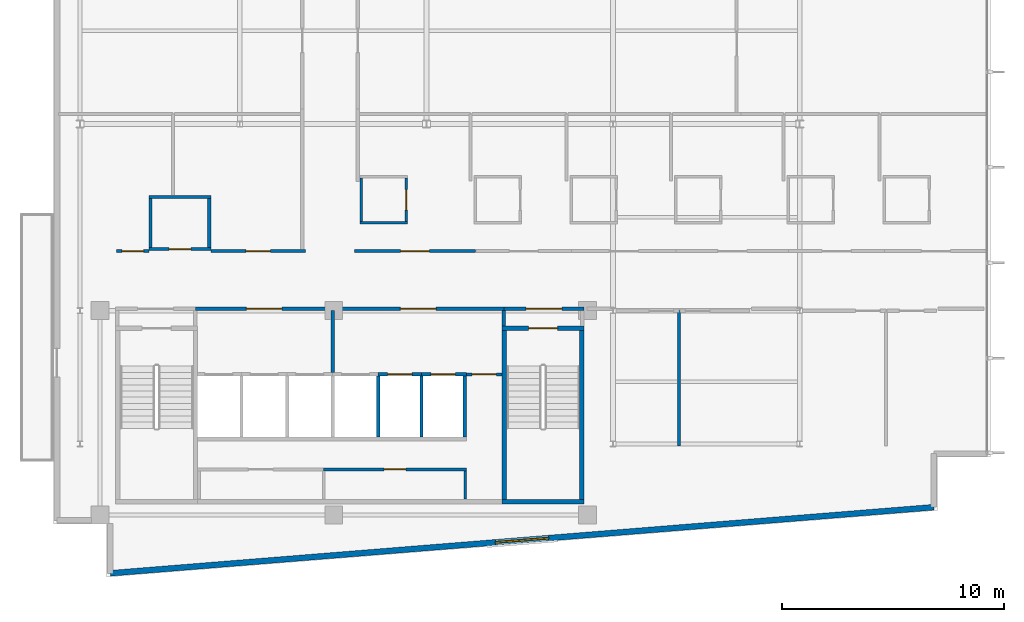
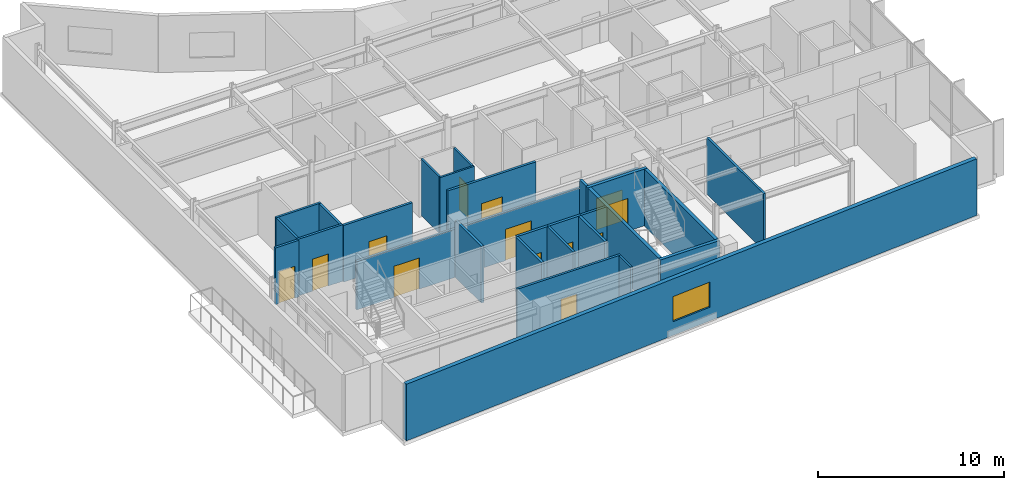
# One storey, part 10 of 16: 29 walls, 13 doors, 1 window, 14 openings.
"""IFC4 building model written with IfcOpenShell, lengths in metres."""

from ifc_helpers import new_model, si_unit, direction, frame, frame_2d, origin, place, context, subcontext, project, spatial, rectangle, extrude, material, layer, layer_set, type_object, element, fill, save


model = new_model("IFC4")

# Units and contexts
model_context = context("Model", 3, precision=1e-05, world=origin(), true_north=direction((0.0, 1.0)))
body_context = subcontext(model_context, "Body", "Model", "MODEL_VIEW")
ifc_project = project(units=[si_unit("LENGTHUNIT", "METRE"), si_unit("AREAUNIT", "SQUARE_METRE"), si_unit("VOLUMEUNIT", "CUBIC_METRE"), si_unit("PLANEANGLEUNIT", "RADIAN"), si_unit("MASSUNIT", "GRAM", prefix="KILO")], contexts=[model_context])

# Site, building, storey
site_placement = place(None, origin())
site = spatial("IfcSite", under=ifc_project, at=site_placement, CompositionType="ELEMENT")
building_placement = place(site_placement, origin())
building = spatial("IfcBuilding", under=site, at=building_placement, Name="Varnakote Quay Hospital", CompositionType="ELEMENT")
storey_placement = place(building_placement, frame((0.0, 0.0, 260.5)))
storey = spatial("IfcBuildingStorey", under=building, at=storey_placement, Name="L64", CompositionType="ELEMENT", Elevation=260.5)

# Wall, opening, door
ifc_material_1 = material(Name="Fire-rated acoustic gypsum stud wall", Category="gypsum")
ifc_layer_1 = layer(ifc_material_1, 0.159912109375)
ifc_layer_set_1 = layer_set([ifc_layer_1], Name="Fire-rated acoustic gypsum stud wall")
wall_type_1 = type_object("IfcWallType", Name="WL-COMP-160", PredefinedType="PARTITIONING", material=ifc_layer_set_1)
wall_1_placement = place(storey_placement, frame((6.39990234375, 12.080078125, 0.0), z_axis=(0.0, 0.0, 1.0), x_axis=(1.0, 0.0, 0.0)))
wall_1 = element("IfcWall", 1, at=wall_1_placement, inside=storey, type_object=wall_type_1, Name="L64 Firefighting Lift Lobby Compartment Wall", PredefinedType="PARTITIONING", context=body_context, shape_type="SweptSolid", body=[
    extrude(rectangle(XDim=6.18017578125, YDim=0.159912109375, at=frame_2d((3.090087890625, 0.0))), origin(), (0.0, 0.0, 1.0), 3.156982421875),
])
opening_1_placement = place(wall_1_placement, frame((2.2900390625, 0.0, 0.0)))
opening_1 = element("IfcOpeningElement", 2, at=opening_1_placement, cuts=wall_1, Name="Opening D-FFL-L64", PredefinedType="OPENING", context=body_context, shape_type="SweptSolid", body=[
    extrude(rectangle(XDim=1.60009765625, YDim=2.050048828125, at=frame_2d((0.800048828125, 1.02490234375))), frame((0.0, 0.08984375, 0.0), z_axis=(0.0, -1.0, 0.0), x_axis=(1.0, 0.0, 0.0)), (0.0, 0.0, 1.0), 0.179931640625),
])
ifc_material_2 = material(Name="Fire-rated double smoke lobby door")
door_type_1 = type_object("IfcDoorType", Name="DR-LOBBY-FD60S-1600x2150", OperationType="NOTDEFINED", PredefinedType="DOOR", material=ifc_material_2)
door_1_placement = place(opening_1_placement, origin())
door_1 = element("IfcDoor", 3, at=door_1_placement, inside=storey, type_object=door_type_1, Name="L64 Firefighting Smoke Vestibule Door", OperationType="DOUBLE_DOOR_SINGLE_SWING", OverallHeight=2.050048828125, OverallWidth=1.60009765625, PredefinedType="DOOR", context=body_context, shape_type="SweptSolid", body=[
    extrude(rectangle(XDim=1.60009765625, YDim=2.050048828125, at=frame_2d((0.800048828125, 1.02490234375))), frame((0.0, 0.02490234375, 0.0), z_axis=(0.0, -1.0, 0.0), x_axis=(1.0, 0.0, 0.0)), (0.0, 0.0, 1.0), 0.050048828125),
])
fill(opening_1, door_1)

# Wall
wall_2_placement = place(storey_placement, frame((12.580078125, 9.2099609375, 0.0), z_axis=(0.0, 0.0, 1.0), x_axis=(0.0, 1.0, 0.0)))
element("IfcWall", 4, at=wall_2_placement, inside=storey, type_object=wall_type_1, Name="L64 Firefighting to Service Lobby Wall", PredefinedType="PARTITIONING", context=body_context, shape_type="SweptSolid", body=[
    extrude(rectangle(XDim=2.7900390625, YDim=0.159912109375, at=frame_2d((1.39501953125, 0.0))), origin(), (0.0, 0.0, 1.0), 3.7099609375),
])

# Wall, opening, door
wall_3_placement = place(storey_placement, frame((12.580078125, 12.080078125, 0.0), z_axis=(0.0, 0.0, 1.0), x_axis=(1.0, 0.0, 0.0)))
wall_3 = element("IfcWall", 5, at=wall_3_placement, inside=storey, type_object=wall_type_1, Name="L64 Clinical Bed Lift Lobby Wall", PredefinedType="PARTITIONING", context=body_context, shape_type="SweptSolid", body=[
    extrude(rectangle(XDim=7.699951171875, YDim=0.159912109375, at=frame_2d((3.85009765625, 0.0))), origin(), (0.0, 0.0, 1.0), 3.156982421875),
])
opening_2_placement = place(wall_3_placement, frame((3.050048828125, 0.0, 0.0)))
opening_2 = element("IfcOpeningElement", 6, at=opening_2_placement, cuts=wall_3, Name="Opening D-SVL-L64", PredefinedType="OPENING", context=body_context, shape_type="SweptSolid", body=[
    extrude(rectangle(XDim=1.60009765625, YDim=2.050048828125, at=frame_2d((0.800048828125, 1.02490234375))), frame((0.0, 0.08984375, 0.0), z_axis=(0.0, -1.0, 0.0), x_axis=(1.0, 0.0, 0.0)), (0.0, 0.0, 1.0), 0.179931640625),
])
door_2_placement = place(opening_2_placement, origin())
door_2 = element("IfcDoor", 7, at=door_2_placement, inside=storey, type_object=door_type_1, Name="L64 Clinical Core Smoke Vestibule Door", OperationType="DOUBLE_DOOR_SINGLE_SWING", OverallHeight=2.050048828125, OverallWidth=1.60009765625, PredefinedType="DOOR", context=body_context, shape_type="SweptSolid", body=[
    extrude(rectangle(XDim=1.60009765625, YDim=2.050048828125, at=frame_2d((0.800048828125, 1.02490234375))), frame((0.0, 0.02490234375, 0.0), z_axis=(0.0, -1.0, 0.0), x_axis=(1.0, 0.0, 0.0)), (0.0, 0.0, 1.0), 0.050048828125),
])
fill(opening_2, door_2)

# Wall
wall_4_placement = place(storey_placement, frame((20.280029296875, 11.300048828125, 0.0), z_axis=(0.0, 0.0, 1.0), x_axis=(0.0, 1.0, 0.0)))
element("IfcWall", 8, at=wall_4_placement, inside=storey, type_object=wall_type_1, Name="L64 East Stair Vestibule Divider Wall", PredefinedType="PARTITIONING", context=body_context, shape_type="SweptSolid", body=[
    extrude(rectangle(XDim=0.699951171875, YDim=0.159912109375, at=frame_2d((0.35009765625, 0.0))), origin(), (0.0, 0.0, 1.0), 3.7099609375),
])

# Wall, opening, door
wall_5_placement = place(storey_placement, frame((20.280029296875, 12.080078125, 0.0), z_axis=(0.0, 0.0, 1.0), x_axis=(1.0, 0.0, 0.0)))
wall_5 = element("IfcWall", 9, at=wall_5_placement, inside=storey, type_object=wall_type_1, Name="L64 East Stair Vestibule Smoke Wall", PredefinedType="PARTITIONING", context=body_context, shape_type="SweptSolid", body=[
    extrude(rectangle(XDim=3.619873046875, YDim=0.159912109375, at=frame_2d((1.81005859375, 0.0))), origin(), (0.0, 0.0, 1.0), 3.156982421875),
])
opening_3_placement = place(wall_5_placement, frame((1.010009765625, 0.0, 0.0)))
opening_3 = element("IfcOpeningElement", 10, at=opening_3_placement, cuts=wall_5, Name="Opening D-ST2L-L64", PredefinedType="OPENING", context=body_context, shape_type="SweptSolid", body=[
    extrude(rectangle(XDim=1.60009765625, YDim=2.050048828125, at=frame_2d((0.800048828125, 1.02490234375))), frame((0.0, 0.08984375, 0.0), z_axis=(0.0, -1.0, 0.0), x_axis=(1.0, 0.0, 0.0)), (0.0, 0.0, 1.0), 0.179931640625),
])
door_3_placement = place(opening_3_placement, origin())
door_3 = element("IfcDoor", 11, at=door_3_placement, inside=storey, type_object=door_type_1, Name="L64 East Stair Vestibule Smoke Door", OperationType="DOUBLE_DOOR_SINGLE_SWING", OverallHeight=2.050048828125, OverallWidth=1.60009765625, PredefinedType="DOOR", context=body_context, shape_type="SweptSolid", body=[
    extrude(rectangle(XDim=1.60009765625, YDim=2.050048828125, at=frame_2d((0.800048828125, 1.02490234375))), frame((0.0, 0.02490234375, 0.0), z_axis=(0.0, -1.0, 0.0), x_axis=(1.0, 0.0, 0.0)), (0.0, 0.0, 1.0), 0.050048828125),
])
fill(opening_3, door_3)

# Walls
ifc_material_3 = material(Name="Moisture-resistant bathroom partition", Category="gypsum")
ifc_layer_2 = layer(ifc_material_3, 0.114990234375)
ifc_layer_set_2 = layer_set([ifc_layer_2], Name="Moisture-resistant bathroom partition")
wall_type_2 = type_object("IfcWallType", Name="WL-ENS-115", PredefinedType="PARTITIONING", material=ifc_layer_set_2)
wall_6_placement = place(storey_placement, frame((13.804931640625, 15.952392578125, 0.0), z_axis=(0.0, 0.0, 1.0), x_axis=(1.0, 0.0, 0.0)))
element("IfcWall", 12, at=wall_6_placement, inside=storey, type_object=wall_type_2, Name="L64 Inpatient En-Suite Bathroom 01 S Wall", PredefinedType="PARTITIONING", context=body_context, shape_type="SweptSolid", body=[
    extrude(rectangle(XDim=2.150146484375, YDim=0.114990234375, at=frame_2d((1.0751953125, 0.0))), origin(), (0.0, 0.0, 1.0), 3.7099609375),
])
wall_7_placement = place(storey_placement, frame((13.862548828125, 16.010009765625, 0.0), z_axis=(0.0, 0.0, 1.0), x_axis=(0.0, 1.0, 0.0)))
element("IfcWall", 13, at=wall_7_placement, inside=storey, type_object=wall_type_2, Name="L64 Inpatient En-Suite Bathroom 01 W Wall", PredefinedType="PARTITIONING", context=body_context, shape_type="SweptSolid", body=[
    extrude(rectangle(XDim=1.949951171875, YDim=0.114990234375, at=frame_2d((0.97509765625, 0.0))), origin(), (0.0, 0.0, 1.0), 3.7099609375),
])

# Wall, opening, door
wall_8_placement = place(storey_placement, frame((15.8974609375, 16.010009765625, 0.0), z_axis=(0.0, 0.0, 1.0), x_axis=(0.0, 1.0, 0.0)))
wall_8 = element("IfcWall", 14, at=wall_8_placement, inside=storey, type_object=wall_type_2, Name="L64 Inpatient En-Suite Bathroom 01 E Wall", PredefinedType="PARTITIONING", context=body_context, shape_type="SweptSolid", body=[
    extrude(rectangle(XDim=1.949951171875, YDim=0.114990234375, at=frame_2d((0.97509765625, 0.0))), origin(), (0.0, 0.0, 1.0), 3.7099609375),
])
opening_4_placement = place(wall_8_placement, frame((0.514892578125, 0.0, 0.0)))
opening_4 = element("IfcOpeningElement", 15, at=opening_4_placement, cuts=wall_8, Name="Opening D-L64-ENS01", PredefinedType="OPENING", context=body_context, shape_type="SweptSolid", body=[
    extrude(rectangle(XDim=0.919921875, YDim=2.10009765625, at=frame_2d((0.4599609375, 1.050048828125))), frame((0.0, 0.0673828125, 0.0), z_axis=(0.0, -1.0, 0.0), x_axis=(1.0, 0.0, 0.0)), (0.0, 0.0, 1.0), 0.135009765625),
])
ifc_material_4 = material(Name="Moisture-sealed en-suite bathroom door")
door_type_2 = type_object("IfcDoorType", Name="DR-ENS-920x2100", OperationType="NOTDEFINED", PredefinedType="DOOR", material=ifc_material_4)
door_4_placement = place(opening_4_placement, origin())
door_4 = element("IfcDoor", 16, at=door_4_placement, inside=storey, type_object=door_type_2, Name="L64 Inpatient En-Suite Bathroom 01 Door", OperationType="SINGLE_SWING_LEFT", OverallHeight=2.10009765625, OverallWidth=0.919921875, PredefinedType="DOOR", context=body_context, shape_type="SweptSolid", body=[
    extrude(rectangle(XDim=0.919921875, YDim=2.10009765625, at=frame_2d((0.4599609375, 1.050048828125))), frame((0.0, 0.02490234375, 0.0), z_axis=(0.0, -1.0, 0.0), x_axis=(1.0, 0.0, 0.0)), (0.0, 0.0, 1.0), 0.050048828125),
])
fill(opening_4, door_4)

# Wall, opening, window
ifc_material_5 = material(Name="Precast concrete N50 (f'c 50 MPa)", Category="concrete")
ifc_layer_3 = layer(ifc_material_5, 0.260009765625)
ifc_layer_set_3 = layer_set([ifc_layer_3], Name="Precast concrete N50 (f'c 50 MPa)")
wall_type_3 = type_object("IfcWallType", Name="WL-EXT-BRICK-260", PredefinedType="STANDARD", material=ifc_layer_set_3)
wall_9_placement = place(storey_placement, frame((2.56005859375, 0.17333984375, 0.0), z_axis=(0.0, 0.0, 1.0), x_axis=(0.996798206282, 0.079958338856, 0.0)))
wall_9 = element("IfcWall", 17, at=wall_9_placement, inside=storey, type_object=wall_type_3, Name="L64 Brick-Faced Precast Exterior Wall", PredefinedType="STANDARD", context=body_context, shape_type="SweptSolid", body=[
    extrude(rectangle(XDim=37.198974609375, YDim=0.260009765625, at=frame_2d((18.599609375, 0.0))), origin(), (0.0, 0.0, 1.0), 3.7099609375),
])
opening_5_placement = place(wall_9_placement, frame((17.399658203125, 0.0, 0.89990234375)))
opening_5 = element("IfcOpeningElement", 18, at=opening_5_placement, cuts=wall_9, Name="Opening WN-0258", PredefinedType="OPENING", context=body_context, shape_type="SweptSolid", body=[
    extrude(rectangle(XDim=2.39990234375, YDim=1.64990234375, at=frame_2d((1.199951171875, 0.824951171875))), frame((0.0, 0.139892578125, 0.0), z_axis=(0.0, -1.0, 0.0), x_axis=(1.0, 0.0, 0.0)), (0.0, 0.0, 1.0), 0.280029296875),
])
ifc_material_6 = material(Name="Double-glazed low-E solar glass", Category="glass")
window_type = type_object("IfcWindowType", Name="WIN-CLIN-2400x1650", PartitioningType="SINGLE_PANEL", PredefinedType="WINDOW", material=ifc_material_6)
window_placement = place(opening_5_placement, origin())
window = element("IfcWindow", 19, at=window_placement, inside=storey, type_object=window_type, Name="L64 Solar-Control Clinical Window", OverallHeight=1.64990234375, OverallWidth=2.39990234375, PartitioningType="SINGLE_PANEL", PredefinedType="WINDOW", context=body_context, shape_type="SweptSolid", body=[
    extrude(rectangle(XDim=2.39990234375, YDim=1.64990234375, at=frame_2d((1.199951171875, 0.824951171875))), frame((0.0, 0.030029296875, 0.0), z_axis=(0.0, -1.0, 0.0), x_axis=(1.0, 0.0, 0.0)), (0.0, 0.0, 1.0), 0.06005859375),
])
fill(opening_5, window)

# Walls
ifc_material_7 = material(Name="Concrete N50 (f'c 50 MPa)", Category="concrete")
ifc_layer_4 = layer(ifc_material_7, 0.14990234375)
ifc_layer_set_4 = layer_set([ifc_layer_4], Name="Concrete N50 (f'c 50 MPa)")
wall_type_4 = type_object("IfcWallType", Name="WL-SHAFT-N50-150", PredefinedType="SHEAR", material=ifc_layer_set_4)
for number, where, z_axis, x_axis, name in (
    (20, (14.625, 6.300048828125, 0.0), (0.0, 0.0, 1.0), (0.0, 1.0, 0.0), "L64 LF-SV2 Hoistway Divider Wall"),
    (21, (16.574951171875, 6.300048828125, 0.0), (0.0, 0.0, 1.0), (0.0, 1.0, 0.0), "L64 LF-PH1 Hoistway Divider Wall"),
):
    element("IfcWall", number, at=place(storey_placement, frame(where, z_axis=z_axis, x_axis=x_axis)), inside=storey, type_object=wall_type_4, Name=name, PredefinedType="SHEAR", context=body_context, shape_type="SweptSolid", body=[
        extrude(rectangle(XDim=2.75, YDim=0.14990234375, at=frame_2d((1.375, 0.0))), origin(), (0.0, 0.0, 1.0), 3.7099609375),
    ])
ifc_material_8 = material(Name="Concrete N50 (f'c 50 MPa)", Category="concrete")
ifc_layer_5 = layer(ifc_material_8, 0.159912109375)
ifc_layer_set_5 = layer_set([ifc_layer_5], Name="Concrete N50 (f'c 50 MPa)")
wall_type_5 = type_object("IfcWallType", Name="WL-SHAFT-N50-160", PredefinedType="SHEAR", material=ifc_layer_set_5)
wall_10_placement = place(storey_placement, frame((18.530029296875, 6.300048828125, 0.0), z_axis=(0.0, 0.0, 1.0), x_axis=(0.0, 1.0, 0.0)))
element("IfcWall", 22, at=wall_10_placement, inside=storey, type_object=wall_type_5, Name="L64 REAR Lift Bank East Shear Wall", PredefinedType="SHEAR", context=body_context, shape_type="SweptSolid", body=[
    extrude(rectangle(XDim=2.75, YDim=0.159912109375, at=frame_2d((1.375, 0.0))), origin(), (0.0, 0.0, 1.0), 3.7099609375),
])

# Wall, opening, door
wall_11_placement = place(storey_placement, frame((14.625, 9.1298828125, 0.0), z_axis=(0.0, 0.0, 1.0), x_axis=(1.0, 0.0, 0.0)))
wall_11 = element("IfcWall", 23, at=wall_11_placement, inside=storey, type_object=wall_type_5, Name="L64 LF-PH1 Hoistway Front Wall", PredefinedType="SHEAR", context=body_context, shape_type="SweptSolid", body=[
    extrude(rectangle(XDim=1.949951171875, YDim=0.159912109375, at=frame_2d((0.97509765625, 0.0))), origin(), (0.0, 0.0, 1.0), 3.7099609375),
])
opening_6_placement = place(wall_11_placement, frame((0.425048828125, 0.0, 0.0)))
opening_6 = element("IfcOpeningElement", 24, at=opening_6_placement, cuts=wall_11, Name="Opening LD-PH1-L64", PredefinedType="OPENING", context=body_context, shape_type="SweptSolid", body=[
    extrude(rectangle(XDim=1.10009765625, YDim=2.14990234375, at=frame_2d((0.550048828125, 1.074951171875))), frame((0.0, 0.08984375, 0.0), z_axis=(0.0, -1.0, 0.0), x_axis=(1.0, 0.0, 0.0)), (0.0, 0.0, 1.0), 0.179931640625),
])
ifc_material_9 = material(Name="Brushed bronze lift landing sliding door")
door_type_3 = type_object("IfcDoorType", Name="DR-LIFT-LD-1100x2150", OperationType="NOTDEFINED", PredefinedType="DOOR", material=ifc_material_9)
door_5_placement = place(opening_6_placement, origin())
door_5 = element("IfcDoor", 25, at=door_5_placement, inside=storey, type_object=door_type_3, Name="L64 LF-PH1 Lift Landing Sliding Door", OperationType="SLIDING_TO_LEFT", OverallHeight=2.14990234375, OverallWidth=1.10009765625, PredefinedType="DOOR", context=body_context, shape_type="SweptSolid", body=[
    extrude(rectangle(XDim=1.10009765625, YDim=2.14990234375, at=frame_2d((0.550048828125, 1.074951171875))), frame((0.0, 0.02490234375, 0.0), z_axis=(0.0, -1.0, 0.0), x_axis=(1.0, 0.0, 0.0)), (0.0, 0.0, 1.0), 0.050048828125),
])
fill(opening_6, door_5)

wall_12_placement = place(storey_placement, frame((16.574951171875, 9.1298828125, 0.0), z_axis=(0.0, 0.0, 1.0), x_axis=(1.0, 0.0, 0.0)))
wall_12 = element("IfcWall", 26, at=wall_12_placement, inside=storey, type_object=wall_type_5, Name="L64 LF-PH2 Hoistway Front Wall", PredefinedType="SHEAR", context=body_context, shape_type="SweptSolid", body=[
    extrude(rectangle(XDim=2.03515625, YDim=0.159912109375, at=frame_2d((1.017578125, 0.0))), origin(), (0.0, 0.0, 1.0), 3.7099609375),
])
opening_7_placement = place(wall_12_placement, frame((0.425048828125, 0.0, 0.0)))
opening_7 = element("IfcOpeningElement", 27, at=opening_7_placement, cuts=wall_12, Name="Opening LD-PH2-L64", PredefinedType="OPENING", context=body_context, shape_type="SweptSolid", body=[
    extrude(rectangle(XDim=1.10009765625, YDim=2.14990234375, at=frame_2d((0.550048828125, 1.074951171875))), frame((0.0, 0.08984375, 0.0), z_axis=(0.0, -1.0, 0.0), x_axis=(1.0, 0.0, 0.0)), (0.0, 0.0, 1.0), 0.179931640625),
])
door_6_placement = place(opening_7_placement, origin())
door_6 = element("IfcDoor", 28, at=door_6_placement, inside=storey, type_object=door_type_3, Name="L64 LF-PH2 Lift Landing Sliding Door", OperationType="SLIDING_TO_LEFT", OverallHeight=2.14990234375, OverallWidth=1.10009765625, PredefinedType="DOOR", context=body_context, shape_type="SweptSolid", body=[
    extrude(rectangle(XDim=1.10009765625, YDim=2.14990234375, at=frame_2d((0.550048828125, 1.074951171875))), frame((0.0, 0.02490234375, 0.0), z_axis=(0.0, -1.0, 0.0), x_axis=(1.0, 0.0, 0.0)), (0.0, 0.0, 1.0), 0.050048828125),
])
fill(opening_7, door_6)

# Walls
ifc_material_10 = material(Name="Concrete N50 (f'c 50 MPa)", Category="concrete")
ifc_layer_6 = layer(ifc_material_10, 0.199951171875)
ifc_layer_set_6 = layer_set([ifc_layer_6], Name="Concrete N50 (f'c 50 MPa)")
wall_type_6 = type_object("IfcWallType", Name="WL-SHAFT-N50-200", PredefinedType="SHEAR", material=ifc_layer_set_6)
wall_13_placement = place(storey_placement, frame((20.199951171875, 3.39990234375, 0.0), z_axis=(0.0, 0.0, 1.0), x_axis=(1.0, 0.0, 0.0)))
element("IfcWall", 29, at=wall_13_placement, inside=storey, type_object=wall_type_6, Name="L64 Stair ST2 South Shaft Wall", PredefinedType="SHEAR", context=body_context, shape_type="SweptSolid", body=[
    extrude(rectangle(XDim=3.699951171875, YDim=0.199951171875, at=frame_2d((1.85009765625, 0.0))), origin(), (0.0, 0.0, 1.0), 3.7099609375),
])
for number, where, z_axis, x_axis, name in (
    (30, (20.300048828125, 3.5, 0.0), (0.0, 0.0, 1.0), (0.0, 1.0, 0.0), "L64 Stair ST2 West Shaft Wall"),
    (31, (23.800048828125, 3.5, 0.0), (0.0, 0.0, 1.0), (0.0, 1.0, 0.0), "L64 Stair ST2 East Shaft Wall"),
):
    element("IfcWall", number, at=place(storey_placement, frame(where, z_axis=z_axis, x_axis=x_axis)), inside=storey, type_object=wall_type_6, Name=name, PredefinedType="SHEAR", context=body_context, shape_type="SweptSolid", body=[
        extrude(rectangle(XDim=7.60009765625, YDim=0.199951171875, at=frame_2d((3.800048828125, 0.0))), origin(), (0.0, 0.0, 1.0), 3.7099609375),
    ])

# Wall, opening, door
wall_14_placement = place(storey_placement, frame((20.199951171875, 11.199951171875, 0.0), z_axis=(0.0, 0.0, 1.0), x_axis=(1.0, 0.0, 0.0)))
wall_14 = element("IfcWall", 32, at=wall_14_placement, inside=storey, type_object=wall_type_6, Name="L64 Stair ST2 Exit Wall", PredefinedType="SHEAR", context=body_context, shape_type="SweptSolid", body=[
    extrude(rectangle(XDim=3.699951171875, YDim=0.199951171875, at=frame_2d((1.85009765625, 0.0))), origin(), (0.0, 0.0, 1.0), 3.7099609375),
])
opening_8_placement = place(wall_14_placement, frame((1.199951171875, 0.0, 0.0)))
opening_8 = element("IfcOpeningElement", 33, at=opening_8_placement, cuts=wall_14, Name="Opening D-ST2-L64", PredefinedType="OPENING", context=body_context, shape_type="SweptSolid", body=[
    extrude(rectangle(XDim=1.300048828125, YDim=2.14990234375, at=frame_2d((0.64990234375, 1.074951171875))), frame((0.0, 0.10986328125, 0.0), z_axis=(0.0, -1.0, 0.0), x_axis=(1.0, 0.0, 0.0)), (0.0, 0.0, 1.0), 0.219970703125),
])
ifc_material_11 = material(Name="Fire-rated ceramic-glazed timber exit door", Category="wood")
door_type_4 = type_object("IfcDoorType", Name="DR-STAIR-FD60S-1300x2150", OperationType="NOTDEFINED", PredefinedType="DOOR", material=ifc_material_11)
door_7_placement = place(opening_8_placement, origin())
door_7 = element("IfcDoor", 34, at=door_7_placement, inside=storey, type_object=door_type_4, Name="L64 Stair ST2 Fire Exit Door", OperationType="SINGLE_SWING_RIGHT", OverallHeight=2.14990234375, OverallWidth=1.300048828125, PredefinedType="DOOR", context=body_context, shape_type="SweptSolid", body=[
    extrude(rectangle(XDim=1.300048828125, YDim=2.14990234375, at=frame_2d((0.64990234375, 1.074951171875))), frame((0.0, 0.02490234375, 0.0), z_axis=(0.0, -1.0, 0.0), x_axis=(1.0, 0.0, 0.0)), (0.0, 0.0, 1.0), 0.050048828125),
])
fill(opening_8, door_7)

# Walls
ifc_material_12 = material(Name="Smoke-proof clinical partition", Category="gypsum")
ifc_layer_7 = layer(ifc_material_12, 0.1201171875)
ifc_layer_set_7 = layer_set([ifc_layer_7], Name="Smoke-proof clinical partition")
wall_type_7 = type_object("IfcWallType", Name="WL-SMOKE-120", PredefinedType="PARTITIONING", material=ifc_layer_set_7)
wall_15_placement = place(storey_placement, frame((18.5400390625, 3.52001953125, 0.0), z_axis=(0.0, 0.0, 1.0), x_axis=(0.0, 1.0, 0.0)))
element("IfcWall", 35, at=wall_15_placement, inside=storey, type_object=wall_type_7, Name="L64 Core South Service East Wall", PredefinedType="PARTITIONING", context=body_context, shape_type="SweptSolid", body=[
    extrude(rectangle(XDim=1.260009765625, YDim=0.1201171875, at=frame_2d((0.6298828125, 0.0))), origin(), (0.0, 0.0, 1.0), 3.7099609375),
])
ifc_material_13 = material(Name="Smoke-proof clinical partition", Category="gypsum")
ifc_layer_8 = layer(ifc_material_13, 0.135009765625)
ifc_layer_set_8 = layer_set([ifc_layer_8], Name="Smoke-proof clinical partition")
wall_type_8 = type_object("IfcWallType", Name="WL-SMOKE-135", PredefinedType="PARTITIONING", material=ifc_layer_set_8)
wall_16_placement = place(storey_placement, frame((28.159912109375, 5.89990234375, 0.0), z_axis=(0.0, 0.0, 1.0), x_axis=(0.0, 1.0, 0.0)))
element("IfcWall", 36, at=wall_16_placement, inside=storey, type_object=wall_type_8, Name="L64 Clinical Interior Partition", PredefinedType="PARTITIONING", context=body_context, shape_type="SweptSolid", body=[
    extrude(rectangle(XDim=6.10009765625, YDim=0.135009765625, at=frame_2d((3.050048828125, 0.0))), origin(), (0.0, 0.0, 1.0), 3.7099609375),
])

# Wall, opening, door
ifc_material_14 = material(Name="Fire-rated clinical gypsum partition", Category="gypsum")
ifc_layer_9 = layer(ifc_material_14, 0.139892578125)
ifc_layer_set_9 = layer_set([ifc_layer_9], Name="Fire-rated clinical gypsum partition")
wall_type_9 = type_object("IfcWallType", Name="WL-WARD-140", PredefinedType="PARTITIONING", material=ifc_layer_set_9)
wall_17_placement = place(storey_placement, frame((12.169921875, 4.85009765625, 0.0), z_axis=(0.0, 0.0, 1.0), x_axis=(1.0, 0.0, 0.0)))
wall_17 = element("IfcWall", 37, at=wall_17_placement, inside=storey, type_object=wall_type_9, Name="L64 Core Staff Sanitary WC North Wall", PredefinedType="PARTITIONING", context=body_context, shape_type="SweptSolid", body=[
    extrude(rectangle(XDim=6.43017578125, YDim=0.139892578125, at=frame_2d((3.215087890625, 0.0))), origin(), (0.0, 0.0, 1.0), 3.7099609375),
])
opening_9_placement = place(wall_17_placement, frame((2.72509765625, 0.0, 0.0)))
opening_9 = element("IfcOpeningElement", 38, at=opening_9_placement, cuts=wall_17, Name="Opening D-L64-CR02", PredefinedType="OPENING", context=body_context, shape_type="SweptSolid", body=[
    extrude(rectangle(XDim=0.97998046875, YDim=2.10009765625, at=frame_2d((0.489990234375, 1.050048828125))), frame((0.0, 0.079833984375, 0.0), z_axis=(0.0, -1.0, 0.0), x_axis=(1.0, 0.0, 0.0)), (0.0, 0.0, 1.0), 0.159912109375),
])
ifc_material_15 = material(Name="Accessible sanitary compartment door")
door_type_5 = type_object("IfcDoorType", Name="DR-WC-980x2100", OperationType="NOTDEFINED", PredefinedType="DOOR", material=ifc_material_15)
door_8_placement = place(opening_9_placement, origin())
door_8 = element("IfcDoor", 39, at=door_8_placement, inside=storey, type_object=door_type_5, Name="L64 Core Staff Sanitary WC Door", OperationType="SINGLE_SWING_RIGHT", OverallHeight=2.10009765625, OverallWidth=0.97998046875, PredefinedType="DOOR", context=body_context, shape_type="SweptSolid", body=[
    extrude(rectangle(XDim=0.97998046875, YDim=2.10009765625, at=frame_2d((0.489990234375, 1.050048828125))), frame((0.0, 0.02490234375, 0.0), z_axis=(0.0, -1.0, 0.0), x_axis=(1.0, 0.0, 0.0)), (0.0, 0.0, 1.0), 0.050048828125),
])
fill(opening_9, door_8)

wall_18_placement = place(storey_placement, frame((18.610107421875, 9.1298828125, 0.0), z_axis=(0.0, 0.0, 1.0), x_axis=(1.0, 0.0, 0.0)))
wall_18 = element("IfcWall", 40, at=wall_18_placement, inside=storey, type_object=wall_type_9, Name="L64 Core Service Corridor North Door Wall", PredefinedType="PARTITIONING", context=body_context, shape_type="SweptSolid", body=[
    extrude(rectangle(XDim=1.58984375, YDim=0.139892578125, at=frame_2d((0.794921875, 0.0))), origin(), (0.0, 0.0, 1.0), 3.7099609375),
])
opening_10_placement = place(wall_18_placement, frame((0.239990234375, 0.0, 0.0)))
opening_10 = element("IfcOpeningElement", 41, at=opening_10_placement, cuts=wall_18, Name="Opening D-CSRV-L64", PredefinedType="OPENING", context=body_context, shape_type="SweptSolid", body=[
    extrude(rectangle(XDim=1.10009765625, YDim=2.10009765625, at=frame_2d((0.550048828125, 1.050048828125))), frame((0.0, 0.079833984375, 0.0), z_axis=(0.0, -1.0, 0.0), x_axis=(1.0, 0.0, 0.0)), (0.0, 0.0, 1.0), 0.159912109375),
])
ifc_material_16 = material(Name="Acoustic timber clinical consult door", Category="wood")
door_type_6 = type_object("IfcDoorType", Name="DR-CLIN-FD30S-1100x2100", OperationType="NOTDEFINED", PredefinedType="DOOR", material=ifc_material_16)
door_9_placement = place(opening_10_placement, origin())
door_9 = element("IfcDoor", 42, at=door_9_placement, inside=storey, type_object=door_type_6, Name="L64 Core Service Corridor Door", OperationType="SINGLE_SWING_LEFT", OverallHeight=2.10009765625, OverallWidth=1.10009765625, PredefinedType="DOOR", context=body_context, shape_type="SweptSolid", body=[
    extrude(rectangle(XDim=1.10009765625, YDim=2.10009765625, at=frame_2d((0.550048828125, 1.050048828125))), frame((0.0, 0.02490234375, 0.0), z_axis=(0.0, -1.0, 0.0), x_axis=(1.0, 0.0, 0.0)), (0.0, 0.0, 1.0), 0.050048828125),
])
fill(opening_10, door_9)

wall_19_placement = place(storey_placement, frame((4.31005859375, 14.77001953125, 0.0), z_axis=(0.0, 0.0, 1.0), x_axis=(1.0, 0.0, 0.0)))
wall_19 = element("IfcWall", 43, at=wall_19_placement, inside=storey, type_object=wall_type_9, Name="L64 Floor Unisex Accessible WC S Wall", PredefinedType="PARTITIONING", context=body_context, shape_type="SweptSolid", body=[
    extrude(rectangle(XDim=2.780029296875, YDim=0.139892578125, at=frame_2d((1.39013671875, 0.0))), origin(), (0.0, 0.0, 1.0), 3.7099609375),
])
opening_11_placement = place(wall_19_placement, frame((0.89990234375, 0.0, 0.0)))
opening_11 = element("IfcOpeningElement", 44, at=opening_11_placement, cuts=wall_19, Name="Opening D-L64-EW01", PredefinedType="OPENING", context=body_context, shape_type="SweptSolid", body=[
    extrude(rectangle(XDim=0.97998046875, YDim=2.10009765625, at=frame_2d((0.489990234375, 1.050048828125))), frame((0.0, 0.079833984375, 0.0), z_axis=(0.0, -1.0, 0.0), x_axis=(1.0, 0.0, 0.0)), (0.0, 0.0, 1.0), 0.159912109375),
])
door_10_placement = place(opening_11_placement, origin())
door_10 = element("IfcDoor", 45, at=door_10_placement, inside=storey, type_object=door_type_5, Name="L64 Floor Unisex Accessible WC Door", OperationType="SINGLE_SWING_RIGHT", OverallHeight=2.10009765625, OverallWidth=0.97998046875, PredefinedType="DOOR", context=body_context, shape_type="SweptSolid", body=[
    extrude(rectangle(XDim=0.97998046875, YDim=2.10009765625, at=frame_2d((0.489990234375, 1.050048828125))), frame((0.0, 0.02490234375, 0.0), z_axis=(0.0, -1.0, 0.0), x_axis=(1.0, 0.0, 0.0)), (0.0, 0.0, 1.0), 0.050048828125),
])
fill(opening_11, door_10)

# Walls
wall_20_placement = place(storey_placement, frame((4.31005859375, 17.110107421875, 0.0), z_axis=(0.0, 0.0, 1.0), x_axis=(1.0, 0.0, 0.0)))
element("IfcWall", 46, at=wall_20_placement, inside=storey, type_object=wall_type_9, Name="L64 Floor Unisex Accessible WC N Wall", PredefinedType="PARTITIONING", context=body_context, shape_type="SweptSolid", body=[
    extrude(rectangle(XDim=2.780029296875, YDim=0.139892578125, at=frame_2d((1.39013671875, 0.0))), origin(), (0.0, 0.0, 1.0), 3.7099609375),
])
for number, where, z_axis, x_axis, name in (
    (47, (4.3798828125, 14.840087890625, 0.0), (0.0, 0.0, 1.0), (0.0, 1.0, 0.0), "L64 Floor Unisex Accessible WC W Wall"),
    (48, (7.02001953125, 14.840087890625, 0.0), (0.0, 0.0, 1.0), (0.0, 1.0, 0.0), "L64 Floor Unisex Accessible WC E Wall"),
):
    element("IfcWall", number, at=place(storey_placement, frame(where, z_axis=z_axis, x_axis=x_axis)), inside=storey, type_object=wall_type_9, Name=name, PredefinedType="PARTITIONING", context=body_context, shape_type="SweptSolid", body=[
        extrude(rectangle(XDim=2.199951171875, YDim=0.139892578125, at=frame_2d((1.10009765625, 0.0))), origin(), (0.0, 0.0, 1.0), 3.7099609375),
    ])

# Wall, opening, door
ifc_material_17 = material(Name="Fire-rated clinical gypsum partition", Category="gypsum")
ifc_layer_10 = layer(ifc_material_17, 0.14990234375)
ifc_layer_set_10 = layer_set([ifc_layer_10], Name="Fire-rated clinical gypsum partition")
wall_type_10 = type_object("IfcWallType", Name="WL-WARD-150", PredefinedType="PARTITIONING", material=ifc_layer_set_10)
wall_21_placement = place(storey_placement, frame((4.30810546875, 14.679931640625, 0.0), z_axis=(0.0, 0.0, 1.0), x_axis=(-1.0, 0.0, 0.0)))
wall_21 = element("IfcWall", 49, at=wall_21_placement, inside=storey, type_object=wall_type_10, Name="L64 Clinical Interior Partition", PredefinedType="PARTITIONING", context=body_context, shape_type="SweptSolid", body=[
    extrude(rectangle(XDim=1.4580078125, YDim=0.14990234375, at=frame_2d((0.72900390625, 0.0))), origin(), (0.0, 0.0, 1.0), 3.7099609375),
])
opening_12_placement = place(wall_21_placement, frame((0.239013671875, 0.0, 0.0)))
opening_12 = element("IfcOpeningElement", 50, at=opening_12_placement, cuts=wall_21, Name="Opening D-L64-MD01", PredefinedType="OPENING", context=body_context, shape_type="SweptSolid", body=[
    extrude(rectangle(XDim=0.97998046875, YDim=2.10009765625, at=frame_2d((0.489990234375, 1.050048828125))), frame((0.0, 0.0849609375, 0.0), z_axis=(0.0, -1.0, 0.0), x_axis=(1.0, 0.0, 0.0)), (0.0, 0.0, 1.0), 0.169921875),
])
door_11_placement = place(opening_12_placement, origin())
door_11 = element("IfcDoor", 51, at=door_11_placement, inside=storey, type_object=door_type_5, Name="L64 Ward Nurse Station Office Door", OperationType="SINGLE_SWING_LEFT", OverallHeight=2.10009765625, OverallWidth=0.97998046875, PredefinedType="DOOR", context=body_context, shape_type="SweptSolid", body=[
    extrude(rectangle(XDim=0.97998046875, YDim=2.10009765625, at=frame_2d((0.489990234375, 1.050048828125))), frame((0.0, 0.02490234375, 0.0), z_axis=(0.0, -1.0, 0.0), x_axis=(1.0, 0.0, 0.0)), (0.0, 0.0, 1.0), 0.050048828125),
])
fill(opening_12, door_11)

wall_22_placement = place(storey_placement, frame((11.345947265625, 14.679931640625, 0.0), z_axis=(0.0, 0.0, 1.0), x_axis=(-1.0, 0.0, 0.0)))
wall_22 = element("IfcWall", 52, at=wall_22_placement, inside=storey, type_object=wall_type_10, Name="L64 Clinical Interior Partition", PredefinedType="PARTITIONING", context=body_context, shape_type="SweptSolid", body=[
    extrude(rectangle(XDim=4.25390625, YDim=0.14990234375, at=frame_2d((2.126953125, 0.0))), origin(), (0.0, 0.0, 1.0), 3.7099609375),
])
opening_13_placement = place(wall_22_placement, frame((1.576904296875, 0.0, 0.0)))
opening_13 = element("IfcOpeningElement", 53, at=opening_13_placement, cuts=wall_22, Name="Opening D-L64-MD02", PredefinedType="OPENING", context=body_context, shape_type="SweptSolid", body=[
    extrude(rectangle(XDim=1.10009765625, YDim=2.10009765625, at=frame_2d((0.550048828125, 1.050048828125))), frame((0.0, 0.0849609375, 0.0), z_axis=(0.0, -1.0, 0.0), x_axis=(1.0, 0.0, 0.0)), (0.0, 0.0, 1.0), 0.169921875),
])
door_12_placement = place(opening_13_placement, origin())
door_12 = element("IfcDoor", 54, at=door_12_placement, inside=storey, type_object=door_type_6, Name="L64 High-Acuity Step-Down Treatment Suite Door", OperationType="SINGLE_SWING_RIGHT", OverallHeight=2.10009765625, OverallWidth=1.10009765625, PredefinedType="DOOR", context=body_context, shape_type="SweptSolid", body=[
    extrude(rectangle(XDim=1.10009765625, YDim=2.10009765625, at=frame_2d((0.550048828125, 1.050048828125))), frame((0.0, 0.02490234375, 0.0), z_axis=(0.0, -1.0, 0.0), x_axis=(1.0, 0.0, 0.0)), (0.0, 0.0, 1.0), 0.050048828125),
])
fill(opening_13, door_12)

wall_23_placement = place(storey_placement, frame((19.01611328125, 14.679931640625, 0.0), z_axis=(0.0, 0.0, 1.0), x_axis=(-1.0, 0.0, 0.0)))
wall_23 = element("IfcWall", 55, at=wall_23_placement, inside=storey, type_object=wall_type_10, Name="L64 Clinical Interior Partition", PredefinedType="PARTITIONING", context=body_context, shape_type="SweptSolid", body=[
    extrude(rectangle(XDim=5.462158203125, YDim=0.14990234375, at=frame_2d((2.73095703125, 0.0))), origin(), (0.0, 0.0, 1.0), 3.7099609375),
])
opening_14_placement = place(wall_23_placement, frame((2.0810546875, 0.0, 0.0)))
opening_14 = element("IfcOpeningElement", 56, at=opening_14_placement, cuts=wall_23, Name="Opening D-L64-BR01", PredefinedType="OPENING", context=body_context, shape_type="SweptSolid", body=[
    extrude(rectangle(XDim=1.300048828125, YDim=2.14990234375, at=frame_2d((0.64990234375, 1.074951171875))), frame((0.0, 0.0849609375, 0.0), z_axis=(0.0, -1.0, 0.0), x_axis=(1.0, 0.0, 0.0)), (0.0, 0.0, 1.0), 0.169921875),
])
ifc_material_18 = material(Name="Solid-core timber clinical bed door", Category="wood")
door_type_7 = type_object("IfcDoorType", Name="DR-WARD-FD30S-1300x2150", OperationType="NOTDEFINED", PredefinedType="DOOR", material=ifc_material_18)
door_13_placement = place(opening_14_placement, origin())
door_13 = element("IfcDoor", 57, at=door_13_placement, inside=storey, type_object=door_type_7, Name="L64 Resident Care Bedroom 01 Door", OperationType="SINGLE_SWING_LEFT", OverallHeight=2.14990234375, OverallWidth=1.300048828125, PredefinedType="DOOR", context=body_context, shape_type="SweptSolid", body=[
    extrude(rectangle(XDim=1.300048828125, YDim=2.14990234375, at=frame_2d((0.64990234375, 1.074951171875))), frame((0.0, 0.02490234375, 0.0), z_axis=(0.0, -1.0, 0.0), x_axis=(1.0, 0.0, 0.0)), (0.0, 0.0, 1.0), 0.050048828125),
])
fill(opening_14, door_13)

save(model, "model.ifc")
